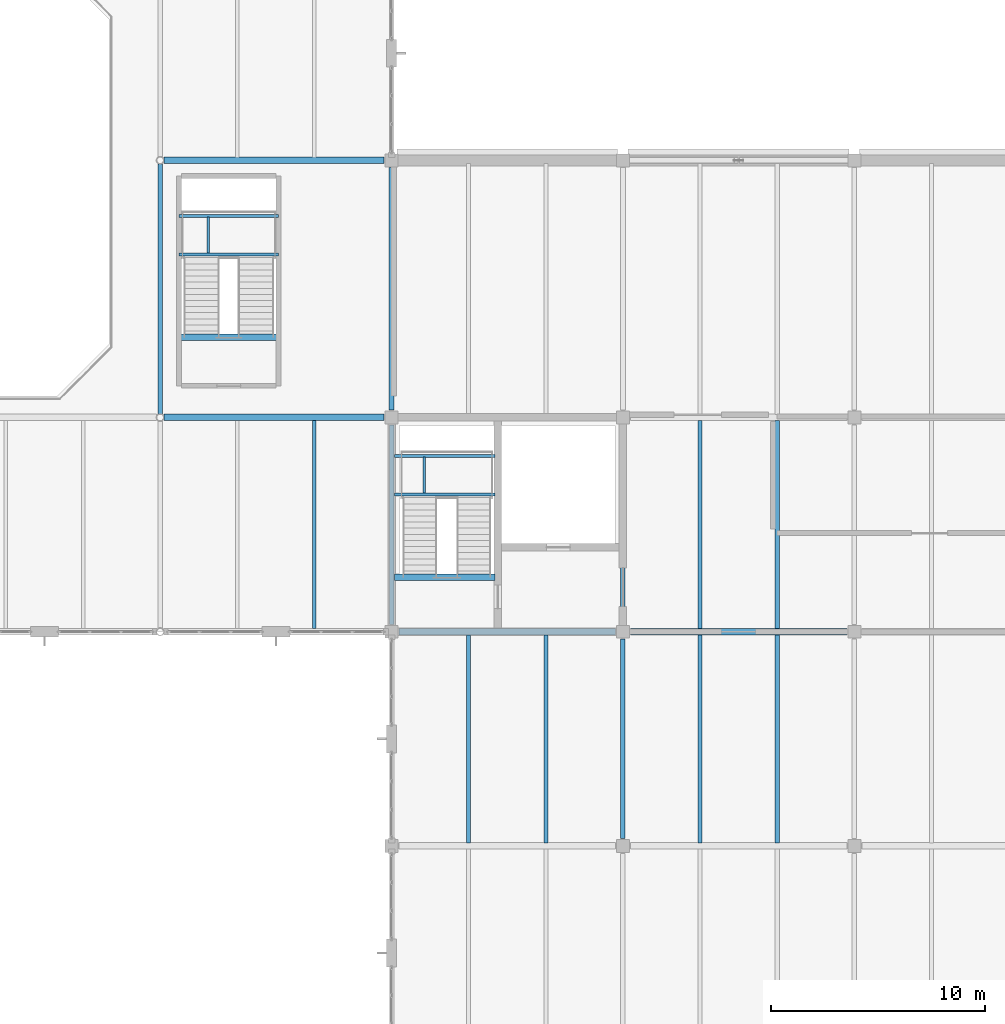
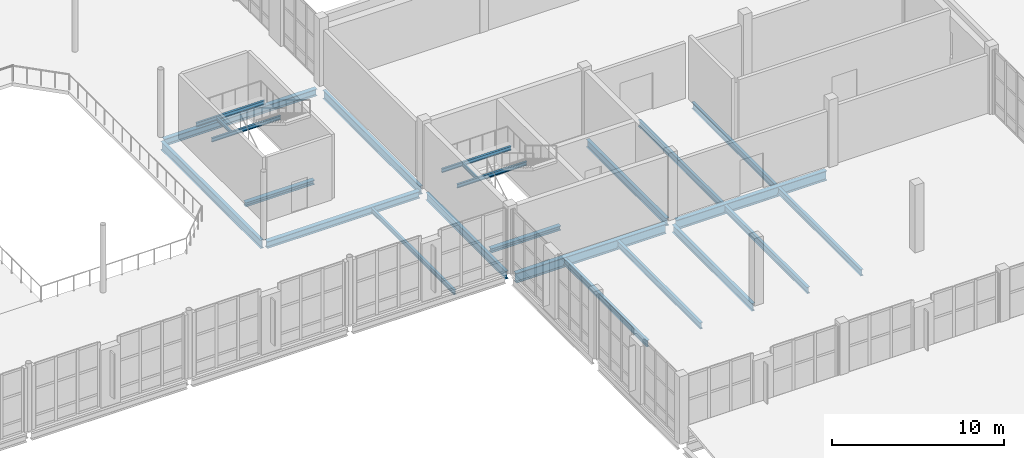
# One storey, part 35 of 100: 24 beams.
"""IFC4 building model written with IfcOpenShell, lengths in metres."""

from ifc_helpers import new_model, si_unit, direction, frame, origin, origin_2d, place, context, subcontext, project, spatial, i_section, extrude, material, material_profile, profile_set, type_object, element, save


model = new_model("IFC4")

# Units and contexts
model_context = context("Model", 3, precision=1e-05, world=origin(), true_north=direction((0.0, 1.0)))
body_context = subcontext(model_context, "Body", "Model", "MODEL_VIEW")
ifc_project = project(units=[si_unit("LENGTHUNIT", "METRE"), si_unit("AREAUNIT", "SQUARE_METRE"), si_unit("VOLUMEUNIT", "CUBIC_METRE"), si_unit("PLANEANGLEUNIT", "RADIAN"), si_unit("MASSUNIT", "GRAM", prefix="KILO")], contexts=[model_context])

# Site, building, storey
site_placement = place(None, origin())
site = spatial("IfcSite", under=ifc_project, at=site_placement, CompositionType="ELEMENT")
building_placement = place(site_placement, origin())
building = spatial("IfcBuilding", under=site, at=building_placement, Name="Tasgan Crest Museum", CompositionType="ELEMENT")
storey_placement = place(building_placement, frame((0.0, 0.0, 9.60009765625)))
storey = spatial("IfcBuildingStorey", under=building, at=storey_placement, Name="L02", CompositionType="ELEMENT", Elevation=9.60009765625)

# Beams
ifc_material_1 = material(Name="Steel S355J2", Category="steel")
ifc_material_profile_1 = material_profile(ifc_material_1, i_section(OverallWidth=0.300048828125, OverallDepth=0.489990234375, WebThickness=0.011962890625, FlangeThickness=0.02294921875, FilletRadius=0.027099609375, at=origin_2d()), Name="HEA 500")
ifc_profile_set_1 = profile_set([ifc_material_profile_1], Name="Steel S355J2")
beam_type_1 = type_object("IfcBeamType", Name="BM-G-HEA500", PredefinedType="BEAM", material=ifc_profile_set_1)
for number, where, z_axis, x_axis, name in (
    (1, (97.373779296875, 50.0, -0.485107421875), (1.0, 0.0, 0.0), (0.0, 1.0, 0.0), "Girder L02 F 97.2-108.0"),
    (2, (97.373779296875, 62.0, -0.485107421875), (1.0, 0.0, 0.0), (0.0, 1.0, 0.0), "Girder L02 G 97.2-108.0"),
):
    element("IfcBeam", number, at=place(storey_placement, frame(where, z_axis=z_axis, x_axis=x_axis)), inside=storey, type_object=beam_type_1, Name=name, PredefinedType="BEAM", context=body_context, shape_type="SweptSolid", body=[
        extrude(i_section(OverallWidth=0.300048828125, OverallDepth=0.489990234375, WebThickness=0.011962890625, FlangeThickness=0.02294921875, FilletRadius=0.027099609375, at=origin_2d()), origin(), (0.0, 0.0, 1.0), 10.2802734375),
    ])
ifc_material_2 = material(Name="Steel S355K2", Category="steel")
ifc_material_profile_2 = material_profile(ifc_material_2, i_section(OverallWidth=0.300048828125, OverallDepth=0.68994140625, WebThickness=0.014404296875, FlangeThickness=0.027099609375, FilletRadius=0.027099609375, at=origin_2d()), Name="HEA 700")
ifc_profile_set_2 = profile_set([ifc_material_profile_2], Name="Steel S355K2")
beam_type_2 = type_object("IfcBeamType", Name="BM-G-HEA700", PredefinedType="BEAM", material=ifc_profile_set_2)
beam_1_placement = place(storey_placement, frame((108.345947265625, 40.0, -0.625), z_axis=(1.0, 0.0, 0.0), x_axis=(0.0, 1.0, 0.0)))
element("IfcBeam", 3, at=beam_1_placement, inside=storey, type_object=beam_type_2, Name="Girder L02 E 108.0-118.8", PredefinedType="BEAM", context=body_context, shape_type="SweptSolid", body=[
    extrude(i_section(OverallWidth=0.300048828125, OverallDepth=0.68994140625, WebThickness=0.014404296875, FlangeThickness=0.027099609375, FilletRadius=0.027099609375, at=origin_2d()), origin(), (0.0, 0.0, 1.0), 10.108154296875),
])
beam_2_placement = place(storey_placement, frame((119.14599609375, 40.0, -0.625), z_axis=(1.0, 0.0, 0.0), x_axis=(0.0, 1.0, 0.0)))
element("IfcBeam", 4, at=beam_2_placement, inside=storey, type_object=beam_type_2, Name="Girder L02 E 118.8-129.6", PredefinedType="BEAM", context=body_context, shape_type="SweptSolid", body=[
    extrude(i_section(OverallWidth=0.300048828125, OverallDepth=0.68994140625, WebThickness=0.014404296875, FlangeThickness=0.027099609375, FilletRadius=0.027099609375, at=origin_2d()), origin(), (0.0, 0.0, 1.0), 10.10791015625),
])
ifc_material_3 = material(Name="Steel S355J2", Category="steel")
ifc_material_profile_3 = material_profile(ifc_material_3, i_section(OverallWidth=0.300048828125, OverallDepth=0.300048828125, WebThickness=0.010986328125, FlangeThickness=0.01904296875, FilletRadius=0.027099609375, at=origin_2d()), Name="HEB 300")
ifc_profile_set_3 = profile_set([ifc_material_profile_3], Name="Steel S355J2")
beam_type_3 = type_object("IfcBeamType", Name="BM-G-HEB300", PredefinedType="BEAM", material=ifc_profile_set_3)
beam_3_placement = place(storey_placement, frame((108.1298828125, 42.550048828125, -0.150146484375), z_axis=(1.0, 0.0, 0.0), x_axis=(0.0, 1.0, 0.0)))
element("IfcBeam", 5, at=beam_3_placement, inside=storey, type_object=beam_type_3, Name="Stair threshold trimmer beam ST-SE-L02", PredefinedType="BEAM", context=body_context, shape_type="SweptSolid", body=[
    extrude(i_section(OverallWidth=0.300048828125, OverallDepth=0.300048828125, WebThickness=0.010986328125, FlangeThickness=0.01904296875, FilletRadius=0.027099609375, at=origin_2d()), origin(), (0.0, 0.0, 1.0), 4.690185546875),
])
beam_4_placement = place(storey_placement, frame((98.080078125, 53.75, -0.150146484375), z_axis=(1.0, 0.0, 0.0), x_axis=(0.0, 1.0, 0.0)))
element("IfcBeam", 6, at=beam_4_placement, inside=storey, type_object=beam_type_3, Name="Stair threshold trimmer beam ST-AT-L02", PredefinedType="BEAM", context=body_context, shape_type="SweptSolid", body=[
    extrude(i_section(OverallWidth=0.300048828125, OverallDepth=0.300048828125, WebThickness=0.010986328125, FlangeThickness=0.01904296875, FilletRadius=0.027099609375, at=origin_2d()), origin(), (0.0, 0.0, 1.0), 4.639892578125),
])
ifc_material_4 = material(Name="Steel S355J2", Category="steel")
ifc_material_profile_4 = material_profile(ifc_material_4, i_section(OverallWidth=0.2099609375, OverallDepth=0.550048828125, WebThickness=0.010986328125, FlangeThickness=0.01708984375, FilletRadius=0.02392578125, at=origin_2d()), Name="IPE 550")
ifc_profile_set_4 = profile_set([ifc_material_profile_4], Name="Steel S355J2")
beam_type_4 = type_object("IfcBeamType", Name="BM-G-IPE550", PredefinedType="BEAM", material=ifc_profile_set_4)
for number, where, z_axis, x_axis, name in (
    (7, (108.0, 40.344970703125, -0.55517578125), (0.0, 1.0, 0.0), (-1.0, 0.0, 0.0), "Beam L02 11 40.0-50.0"),
    (8, (118.800048828125, 30.344970703125, -0.55517578125), (0.0, 1.0, 0.0), (-1.0, 0.0, 0.0), "Beam L02 12 30.0-40.0"),
    (9, (118.800048828125, 40.344970703125, -0.55517578125), (0.0, 1.0, 0.0), (-1.0, 0.0, 0.0), "Beam L02 12 40.0-50.0"),
):
    element("IfcBeam", number, at=place(storey_placement, frame(where, z_axis=z_axis, x_axis=x_axis)), inside=storey, type_object=beam_type_4, Name=name, PredefinedType="BEAM", context=body_context, shape_type="SweptSolid", body=[
        extrude(i_section(OverallWidth=0.2099609375, OverallDepth=0.550048828125, WebThickness=0.010986328125, FlangeThickness=0.01708984375, FilletRadius=0.02392578125, at=origin_2d()), origin(), (0.0, 0.0, 1.0), 9.31005859375),
    ])
ifc_material_5 = material(Name="Steel S355J2", Category="steel")
ifc_material_profile_5 = material_profile(ifc_material_5, i_section(OverallWidth=0.219970703125, OverallDepth=0.60009765625, WebThickness=0.011962890625, FlangeThickness=0.01904296875, FilletRadius=0.02392578125, at=origin_2d()), Name="IPE 600")
ifc_profile_set_5 = profile_set([ifc_material_profile_5], Name="Steel S355J2")
beam_type_5 = type_object("IfcBeamType", Name="BM-G-IPE600", PredefinedType="BEAM", material=ifc_profile_set_5)
beam_5_placement = place(storey_placement, frame((97.199951171875, 50.1728515625, -0.5400390625), z_axis=(0.0, 1.0, 0.0), x_axis=(-1.0, 0.0, 0.0)))
element("IfcBeam", 10, at=beam_5_placement, inside=storey, type_object=beam_type_5, Name="Beam L02 10 50.0-62.0", PredefinedType="BEAM", context=body_context, shape_type="SweptSolid", body=[
    extrude(i_section(OverallWidth=0.219970703125, OverallDepth=0.60009765625, WebThickness=0.011962890625, FlangeThickness=0.01904296875, FilletRadius=0.02392578125, at=origin_2d()), origin(), (0.0, 0.0, 1.0), 11.654296875),
])
beam_6_placement = place(storey_placement, frame((108.0, 50.344970703125, -0.580078125), z_axis=(0.0, 1.0, 0.0), x_axis=(-1.0, 0.0, 0.0)))
element("IfcBeam", 11, at=beam_6_placement, inside=storey, type_object=beam_type_5, Name="Beam L02 11 50.0-62.0", PredefinedType="BEAM", context=body_context, shape_type="SweptSolid", body=[
    extrude(i_section(OverallWidth=0.219970703125, OverallDepth=0.60009765625, WebThickness=0.011962890625, FlangeThickness=0.01904296875, FilletRadius=0.02392578125, at=origin_2d()), origin(), (0.0, 0.0, 1.0), 11.31005859375),
])
ifc_material_6 = material(Name="Steel S355J2", Category="steel")
ifc_material_profile_6 = material_profile(ifc_material_6, i_section(OverallWidth=0.159912109375, OverallDepth=0.330078125, WebThickness=0.007568359375, FlangeThickness=0.011474609375, FilletRadius=0.01806640625, at=origin_2d()), Name="IPE 330")
ifc_profile_set_6 = profile_set([ifc_material_profile_6], Name="Steel S355J2")
beam_type_6 = type_object("IfcBeamType", Name="BM-J-IPE330", PredefinedType="JOIST", material=ifc_profile_set_6)
beam_7_placement = place(storey_placement, frame((104.39990234375, 40.14501953125, -0.405029296875), z_axis=(0.0, 1.0, 0.0), x_axis=(-1.0, 0.0, 0.0)))
element("IfcBeam", 12, at=beam_7_placement, inside=storey, type_object=beam_type_6, Name="Secondary joist L02 X=104.4 Y=40.0-50.0", PredefinedType="JOIST", context=body_context, shape_type="SweptSolid", body=[
    extrude(i_section(OverallWidth=0.159912109375, OverallDepth=0.330078125, WebThickness=0.007568359375, FlangeThickness=0.011474609375, FilletRadius=0.01806640625, at=origin_2d()), origin(), (0.0, 0.0, 1.0), 9.7099609375),
])
ifc_material_7 = material(Name="Steel S355J2", Category="steel")
ifc_material_profile_7 = material_profile(ifc_material_7, i_section(OverallWidth=0.18994140625, OverallDepth=0.449951171875, WebThickness=0.009521484375, FlangeThickness=0.0146484375, FilletRadius=0.02099609375, at=origin_2d()), Name="IPE 450")
ifc_profile_set_7 = profile_set([ifc_material_profile_7], Name="Steel S355J2")
beam_type_7 = type_object("IfcBeamType", Name="BM-J-IPE450", PredefinedType="JOIST", material=ifc_profile_set_7)
for number, where, z_axis, x_axis, name in (
    (13, (111.60009765625, 30.14501953125, -0.505126953125), (0.0, 1.0, 0.0), (-1.0, 0.0, 0.0), "Secondary joist L02 X=111.6 Y=30.0-40.0"),
    (14, (115.199951171875, 30.14501953125, -0.505126953125), (0.0, 1.0, 0.0), (-1.0, 0.0, 0.0), "Secondary joist L02 X=115.2 Y=30.0-40.0"),
    (15, (122.39990234375, 30.14501953125, -0.505126953125), (0.0, 1.0, 0.0), (-1.0, 0.0, 0.0), "Secondary joist L02 X=122.4 Y=30.0-40.0"),
    (16, (126.0, 30.14501953125, -0.505126953125), (0.0, 1.0, 0.0), (-1.0, 0.0, 0.0), "Secondary joist L02 X=126.0 Y=30.0-40.0"),
    (17, (122.39990234375, 40.14501953125, -0.505126953125), (0.0, 1.0, 0.0), (-1.0, 0.0, 0.0), "Secondary joist L02 X=122.4 Y=40.0-50.0"),
    (18, (126.0, 40.14501953125, -0.505126953125), (0.0, 1.0, 0.0), (-1.0, 0.0, 0.0), "Secondary joist L02 X=126.0 Y=40.0-50.0"),
):
    element("IfcBeam", number, at=place(storey_placement, frame(where, z_axis=z_axis, x_axis=x_axis)), inside=storey, type_object=beam_type_7, Name=name, PredefinedType="JOIST", context=body_context, shape_type="SweptSolid", body=[
        extrude(i_section(OverallWidth=0.18994140625, OverallDepth=0.449951171875, WebThickness=0.009521484375, FlangeThickness=0.0146484375, FilletRadius=0.02099609375, at=origin_2d()), origin(), (0.0, 0.0, 1.0), 9.7099609375),
    ])
ifc_material_8 = material(Name="Steel S355J2", Category="steel")
ifc_material_profile_8 = material_profile(ifc_material_8, i_section(OverallWidth=0.1201171875, OverallDepth=0.239990234375, WebThickness=0.006103515625, FlangeThickness=0.009765625, FilletRadius=0.014892578125, at=origin_2d()), Name="IPE 240")
ifc_profile_set_8 = profile_set([ifc_material_profile_8], Name="Steel S355J2")
beam_type_8 = type_object("IfcBeamType", Name="BM-LAND-IPE240", PredefinedType="BEAM", material=ifc_profile_set_8)
for number, where, z_axis, x_axis, name in (
    (19, (109.52490234375, 46.465087890625, 2.079833984375), (0.0, 1.0, 0.0), (-1.0, 0.0, 0.0), "Stair half-landing crossbeam ST-SE-L02 T1"),
    (20, (99.449951171875, 57.6650390625, 2.079833984375), (0.0, 1.0, 0.0), (-1.0, 0.0, 0.0), "Stair half-landing crossbeam ST-AT-L02 T1"),
):
    element("IfcBeam", number, at=place(storey_placement, frame(where, z_axis=z_axis, x_axis=x_axis)), inside=storey, type_object=beam_type_8, Name=name, PredefinedType="BEAM", context=body_context, shape_type="SweptSolid", body=[
        extrude(i_section(OverallWidth=0.1201171875, OverallDepth=0.239990234375, WebThickness=0.006103515625, FlangeThickness=0.009765625, FilletRadius=0.014892578125, at=origin_2d()), origin(), (0.0, 0.0, 1.0), 1.679931640625),
    ])
ifc_material_9 = material(Name="Steel S355J2", Category="steel")
ifc_material_profile_9 = material_profile(ifc_material_9, i_section(OverallWidth=0.135009765625, OverallDepth=0.27001953125, WebThickness=0.006591796875, FlangeThickness=0.01025390625, FilletRadius=0.014892578125, at=origin_2d()), Name="IPE 270")
ifc_profile_set_9 = profile_set([ifc_material_profile_9], Name="Steel S355J2")
beam_type_9 = type_object("IfcBeamType", Name="BM-LAND-IPE270", PredefinedType="BEAM", material=ifc_profile_set_9)
for number, where, z_axis, x_axis, name in (
    (21, (108.1298828125, 46.405029296875, 2.06494140625), (1.0, 0.0, 0.0), (0.0, 1.0, 0.0), "Stair half-landing beam ST-SE-L02 T1F"),
    (22, (108.1298828125, 48.205078125, 2.06494140625), (1.0, 0.0, 0.0), (0.0, 1.0, 0.0), "Stair half-landing beam ST-SE-L02 T1B"),
):
    element("IfcBeam", number, at=place(storey_placement, frame(where, z_axis=z_axis, x_axis=x_axis)), inside=storey, type_object=beam_type_9, Name=name, PredefinedType="BEAM", context=body_context, shape_type="SweptSolid", body=[
        extrude(i_section(OverallWidth=0.135009765625, OverallDepth=0.27001953125, WebThickness=0.006591796875, FlangeThickness=0.01025390625, FilletRadius=0.014892578125, at=origin_2d()), origin(), (0.0, 0.0, 1.0), 4.690185546875),
    ])
for number, where, z_axis, x_axis, name in (
    (23, (98.080078125, 57.60498046875, 2.06494140625), (1.0, 0.0, 0.0), (0.0, 1.0, 0.0), "Stair half-landing beam ST-AT-L02 T1F"),
    (24, (98.080078125, 59.405029296875, 2.06494140625), (1.0, 0.0, 0.0), (0.0, 1.0, 0.0), "Stair half-landing beam ST-AT-L02 T1B"),
):
    element("IfcBeam", number, at=place(storey_placement, frame(where, z_axis=z_axis, x_axis=x_axis)), inside=storey, type_object=beam_type_9, Name=name, PredefinedType="BEAM", context=body_context, shape_type="SweptSolid", body=[
        extrude(i_section(OverallWidth=0.135009765625, OverallDepth=0.27001953125, WebThickness=0.006591796875, FlangeThickness=0.01025390625, FilletRadius=0.014892578125, at=origin_2d()), origin(), (0.0, 0.0, 1.0), 4.639892578125),
    ])

save(model, "model.ifc")
